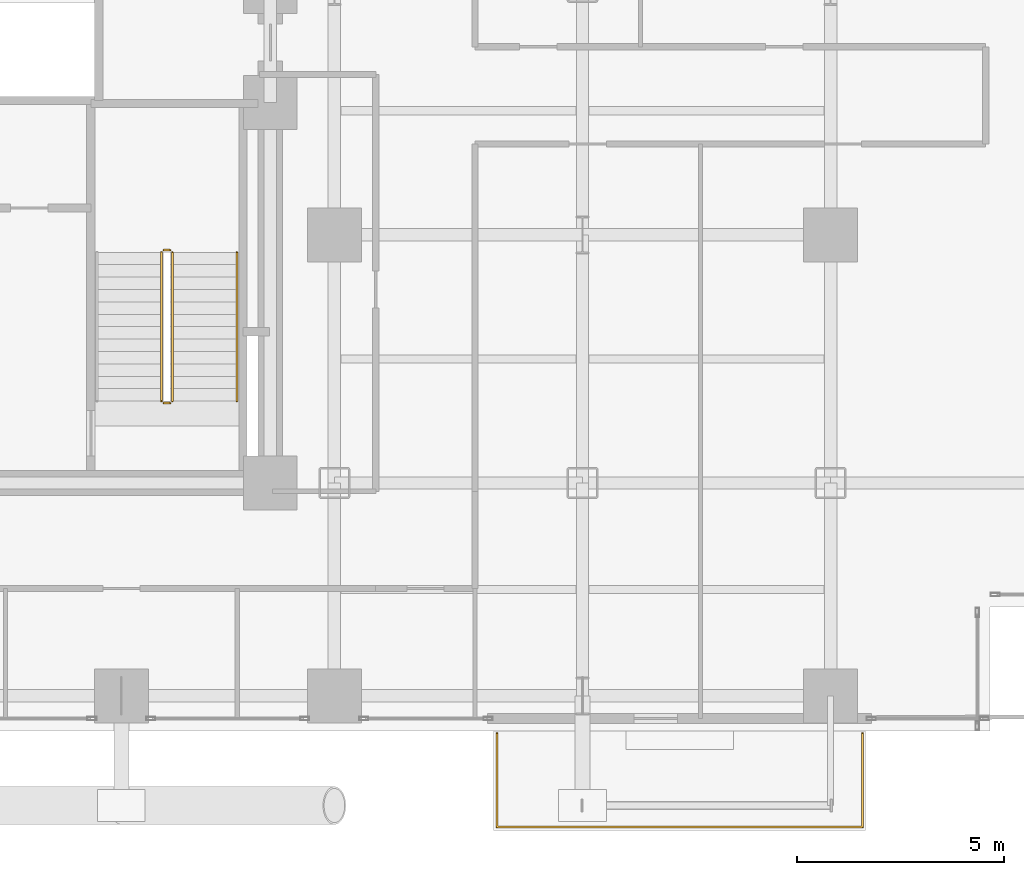
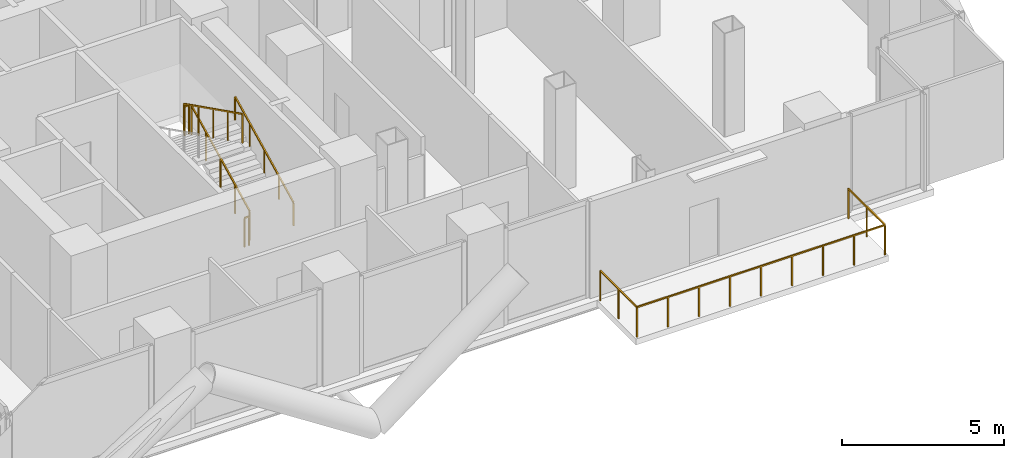
# One storey, part 26 of 27: 6 railings.
"""IFC4 building model written with IfcOpenShell, lengths in metres."""

from ifc_helpers import new_model, si_unit, direction, frame, origin, origin_2d, place, context, subcontext, project, spatial, rectangle, extrude, material, type_object, element, save


model = new_model("IFC4")

# Units and contexts
model_context = context("Model", 3, precision=1e-05, world=origin(), true_north=direction((0.0, 1.0)))
body_context = subcontext(model_context, "Body", "Model", "MODEL_VIEW")
ifc_project = project(units=[si_unit("LENGTHUNIT", "METRE"), si_unit("AREAUNIT", "SQUARE_METRE"), si_unit("VOLUMEUNIT", "CUBIC_METRE"), si_unit("PLANEANGLEUNIT", "RADIAN"), si_unit("MASSUNIT", "GRAM", prefix="KILO"), si_unit("THERMODYNAMICTEMPERATUREUNIT", "KELVIN"), si_unit("POWERUNIT", "WATT")], contexts=[model_context])

# Site, building, storey
site_placement = place(None, origin())
site = spatial("IfcSite", under=ifc_project, at=site_placement, CompositionType="ELEMENT")
building_placement = place(site_placement, origin())
building = spatial("IfcBuilding", under=site, at=building_placement, Name="Svarakhadi Broadcast Tower", CompositionType="ELEMENT")
storey_placement = place(building_placement, frame((0.0, 0.0, 40.199951171875)))
storey = spatial("IfcBuildingStorey", under=building, at=storey_placement, Name="L08", CompositionType="ELEMENT", Elevation=40.199951171875)

# Railings
ifc_material_1 = material(Name="Laminated Structural SentryGlas Balustrade 25.5 mm", Category="glass")
railing_type_1 = type_object("IfcRailingType", Name="Guard_Balcony_GR01", PredefinedType="BALUSTRADE", material=ifc_material_1)
railing_1_placement = place(storey_placement, frame((39.080078125, -0.06005859375, 0.0)))
element("IfcRailing", 1, at=railing_1_placement, inside=storey, type_object=railing_type_1, Name="L08 South Tree Balcony Guard GR-05", PredefinedType="BALUSTRADE", context=body_context, shape_type="SweptSolid", body=[
    extrude(rectangle(XDim=0.048095703125, YDim=0.048095703125, at=origin_2d()), frame((0.0, 0.0, 1.1259765625), z_axis=(0.0, -1.0, 0.0), x_axis=(1.0, 0.0, 0.0)), (0.0, 0.0, 1.0), 2.260009765625),
    extrude(rectangle(XDim=0.048095703125, YDim=0.048095703125, at=origin_2d()), frame((0.0, -2.260009765625, 1.1259765625), z_axis=(1.0, 0.0, 0.0), x_axis=(0.0, 1.0, 0.0)), (0.0, 0.0, 1.0), 8.83984375),
    extrude(rectangle(XDim=0.048095703125, YDim=0.048095703125, at=origin_2d()), frame((8.83984375, -2.260009765625, 1.1259765625), z_axis=(0.0, 1.0, 0.0), x_axis=(-1.0, 0.0, 0.0)), (0.0, 0.0, 1.0), 2.260009765625),
    extrude(rectangle(XDim=0.0419921875, YDim=0.0419921875, at=origin_2d()), origin(), (0.0, 0.0, 1.0), 1.101806640625),
    extrude(rectangle(XDim=0.0419921875, YDim=0.0419921875, at=origin_2d()), frame((0.0, -1.1298828125, 0.0)), (0.0, 0.0, 1.0), 1.101806640625),
    extrude(rectangle(XDim=0.0419921875, YDim=0.0419921875, at=origin_2d()), frame((0.0, -2.260009765625, 0.0)), (0.0, 0.0, 1.0), 1.101806640625),
    extrude(rectangle(XDim=0.0419921875, YDim=0.0419921875, at=origin_2d()), frame((1.10498046875, -2.260009765625, 0.0)), (0.0, 0.0, 1.0), 1.101806640625),
    extrude(rectangle(XDim=0.0419921875, YDim=0.0419921875, at=origin_2d()), frame((2.2099609375, -2.260009765625, 0.0)), (0.0, 0.0, 1.0), 1.101806640625),
    extrude(rectangle(XDim=0.0419921875, YDim=0.0419921875, at=origin_2d()), frame((3.31494140625, -2.260009765625, 0.0)), (0.0, 0.0, 1.0), 1.101806640625),
    extrude(rectangle(XDim=0.0419921875, YDim=0.0419921875, at=origin_2d()), frame((4.419921875, -2.260009765625, 0.0)), (0.0, 0.0, 1.0), 1.101806640625),
    extrude(rectangle(XDim=0.0419921875, YDim=0.0419921875, at=origin_2d()), frame((5.52490234375, -2.260009765625, 0.0)), (0.0, 0.0, 1.0), 1.101806640625),
    extrude(rectangle(XDim=0.0419921875, YDim=0.0419921875, at=origin_2d()), frame((6.6298828125, -2.260009765625, 0.0)), (0.0, 0.0, 1.0), 1.101806640625),
    extrude(rectangle(XDim=0.0419921875, YDim=0.0419921875, at=origin_2d()), frame((7.73486328125, -2.260009765625, 0.0)), (0.0, 0.0, 1.0), 1.101806640625),
    extrude(rectangle(XDim=0.0419921875, YDim=0.0419921875, at=origin_2d()), frame((8.83984375, -2.260009765625, 0.0)), (0.0, 0.0, 1.0), 1.101806640625),
    extrude(rectangle(XDim=0.0419921875, YDim=0.0419921875, at=origin_2d()), frame((8.83984375, -1.1298828125, 0.0)), (0.0, 0.0, 1.0), 1.101806640625),
    extrude(rectangle(XDim=0.0419921875, YDim=0.0419921875, at=origin_2d()), frame((8.83984375, 0.0, 0.0)), (0.0, 0.0, 1.0), 1.101806640625),
])
ifc_material_2 = material(Name="Anodised Bronze Aluminium AA 6063-T6", Category="aluminium")
railing_type_2 = type_object("IfcRailingType", Name="Guard_Stair_GR01", PredefinedType="GUARDRAIL", material=ifc_material_2)
railing_2_placement = place(storey_placement, frame((31.22998046875, 7.97998046875, 0.150146484375)))
element("IfcRailing", 2, at=railing_2_placement, inside=storey, type_object=railing_type_2, Name="L08 ST-02 stair guard 1", PredefinedType="GUARDRAIL", context=body_context, shape_type="SweptSolid", body=[
    extrude(rectangle(XDim=0.048095703125, YDim=0.048095703125, at=origin_2d()), frame((0.0, 0.0, 1.09619140625), z_axis=(0.0, 0.894451452574, 0.447165069061), x_axis=(-1.0, 0.0, 0.0)), (0.0, 0.0, 1.0), 4.02490234375),
    extrude(rectangle(XDim=0.0419921875, YDim=0.0419921875, at=origin_2d()), origin(), (0.0, 0.0, 1.0), 1.072021484375),
    extrude(rectangle(XDim=0.0419921875, YDim=0.0419921875, at=origin_2d()), frame((0.0, 0.89990234375, 0.449951171875)), (0.0, 0.0, 1.0), 1.072021484375),
    extrude(rectangle(XDim=0.0419921875, YDim=0.0419921875, at=origin_2d()), frame((0.0, 1.800048828125, 0.89990234375)), (0.0, 0.0, 1.0), 1.072021484375),
    extrude(rectangle(XDim=0.0419921875, YDim=0.0419921875, at=origin_2d()), frame((0.0, 2.7001953125, 1.349853515625)), (0.0, 0.0, 1.0), 1.072021484375),
    extrude(rectangle(XDim=0.0419921875, YDim=0.0419921875, at=origin_2d()), frame((0.0, 3.60009765625, 1.7998046875)), (0.0, 0.0, 1.0), 1.072021484375),
])
railing_3_placement = place(storey_placement, frame((31.179931640625, 11.6298828125, 1.949951171875)))
element("IfcRailing", 3, at=railing_3_placement, inside=storey, type_object=railing_type_2, Name="L08 ST-02 stair guard 2", PredefinedType="GUARDRAIL", context=body_context, shape_type="SweptSolid", body=[
    extrude(rectangle(XDim=0.048095703125, YDim=0.048095703125, at=origin_2d()), frame((0.0, 0.0, 1.09619140625), z_axis=(-1.0, 0.0, 0.0), x_axis=(0.0, -1.0, 0.0)), (0.0, 0.0, 1.0), 0.159912109375),
    extrude(rectangle(XDim=0.0419921875, YDim=0.0419921875, at=origin_2d()), origin(), (0.0, 0.0, 1.0), 1.072021484375),
    extrude(rectangle(XDim=0.0419921875, YDim=0.0419921875, at=origin_2d()), frame((-0.159912109375, 0.0, 0.0)), (0.0, 0.0, 1.0), 1.072021484375),
])
railing_4_placement = place(storey_placement, frame((30.969970703125, 11.580078125, 2.10009765625)))
element("IfcRailing", 4, at=railing_4_placement, inside=storey, type_object=railing_type_2, Name="L08 ST-02 stair guard 3", PredefinedType="GUARDRAIL", context=body_context, shape_type="SweptSolid", body=[
    extrude(rectangle(XDim=0.048095703125, YDim=0.048095703125, at=origin_2d()), frame((0.0, 0.0, 1.09619140625), z_axis=(0.0, -0.894427191, 0.4472135955), x_axis=(1.0, 0.0, 0.0)), (0.0, 0.0, 1.0), 4.025146484375),
    extrude(rectangle(XDim=0.0419921875, YDim=0.0419921875, at=origin_2d()), origin(), (0.0, 0.0, 1.0), 1.072021484375),
    extrude(rectangle(XDim=0.0419921875, YDim=0.0419921875, at=origin_2d()), frame((0.0, -0.89990234375, 0.449951171875)), (0.0, 0.0, 1.0), 1.072021484375),
    extrude(rectangle(XDim=0.0419921875, YDim=0.0419921875, at=origin_2d()), frame((0.0, -1.800048828125, 0.89990234375)), (0.0, 0.0, 1.0), 1.072021484375),
    extrude(rectangle(XDim=0.0419921875, YDim=0.0419921875, at=origin_2d()), frame((0.0, -2.7001953125, 1.35009765625)), (0.0, 0.0, 1.0), 1.072021484375),
    extrude(rectangle(XDim=0.0419921875, YDim=0.0419921875, at=origin_2d()), frame((0.0, -3.60009765625, 1.800048828125)), (0.0, 0.0, 1.0), 1.072021484375),
])
railing_5_placement = place(storey_placement, frame((31.179931640625, 7.929931640625, 0.0)))
element("IfcRailing", 5, at=railing_5_placement, inside=storey, type_object=railing_type_2, Name="L08 ST-02 stair guard 4", PredefinedType="GUARDRAIL", context=body_context, shape_type="SweptSolid", body=[
    extrude(rectangle(XDim=0.048095703125, YDim=0.048095703125, at=origin_2d()), frame((0.0, 0.0, 1.09619140625), z_axis=(-1.0, 0.0, 0.0), x_axis=(0.0, -1.0, 0.0)), (0.0, 0.0, 1.0), 0.159912109375),
    extrude(rectangle(XDim=0.0419921875, YDim=0.0419921875, at=origin_2d()), origin(), (0.0, 0.0, 1.0), 1.072021484375),
    extrude(rectangle(XDim=0.0419921875, YDim=0.0419921875, at=origin_2d()), frame((-0.159912109375, 0.0, 0.0)), (0.0, 0.0, 1.0), 1.072021484375),
])
railing_type_3 = type_object("IfcRailingType", Name="Handrail_Stair_HR01", PredefinedType="HANDRAIL", material=ifc_material_2)
railing_6_placement = place(storey_placement, frame((32.7900390625, 7.97998046875, 0.150146484375)))
element("IfcRailing", 6, at=railing_6_placement, inside=storey, type_object=railing_type_3, Name="L08 ST-02 stair handrail 1", PredefinedType="HANDRAIL", context=body_context, shape_type="SweptSolid", body=[
    extrude(rectangle(XDim=0.048095703125, YDim=0.048095703125, at=origin_2d()), frame((0.0, 0.0, 0.8759765625), z_axis=(0.0, 0.894451452574, 0.447165069061), x_axis=(-1.0, 0.0, 0.0)), (0.0, 0.0, 1.0), 4.02490234375),
    extrude(rectangle(XDim=0.0419921875, YDim=0.0419921875, at=origin_2d()), origin(), (0.0, 0.0, 1.0), 0.851806640625),
    extrude(rectangle(XDim=0.0419921875, YDim=0.0419921875, at=origin_2d()), frame((0.0, 0.89990234375, 0.449951171875)), (0.0, 0.0, 1.0), 0.851806640625),
    extrude(rectangle(XDim=0.0419921875, YDim=0.0419921875, at=origin_2d()), frame((0.0, 1.800048828125, 0.89990234375)), (0.0, 0.0, 1.0), 0.851806640625),
    extrude(rectangle(XDim=0.0419921875, YDim=0.0419921875, at=origin_2d()), frame((0.0, 2.7001953125, 1.349853515625)), (0.0, 0.0, 1.0), 0.851806640625),
    extrude(rectangle(XDim=0.0419921875, YDim=0.0419921875, at=origin_2d()), frame((0.0, 3.60009765625, 1.7998046875)), (0.0, 0.0, 1.0), 0.851806640625),
])

save(model, "model.ifc")
